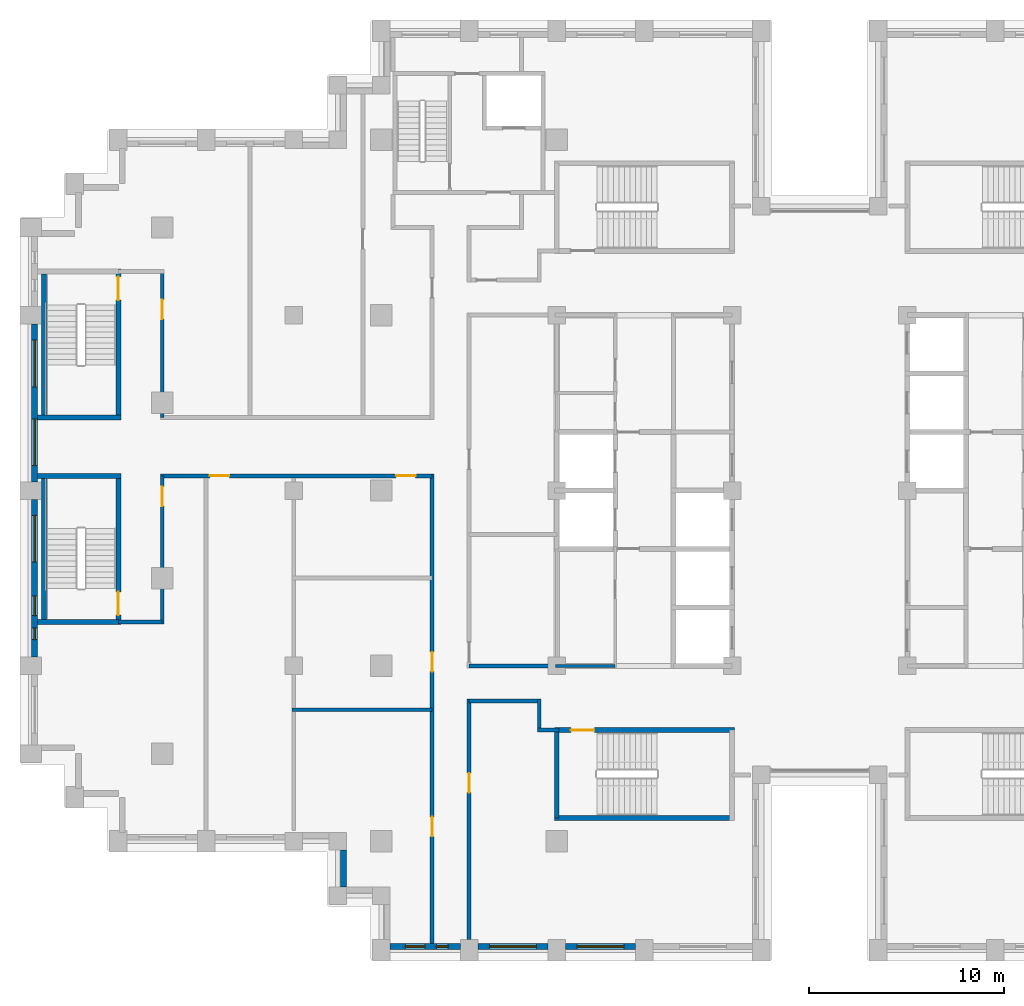
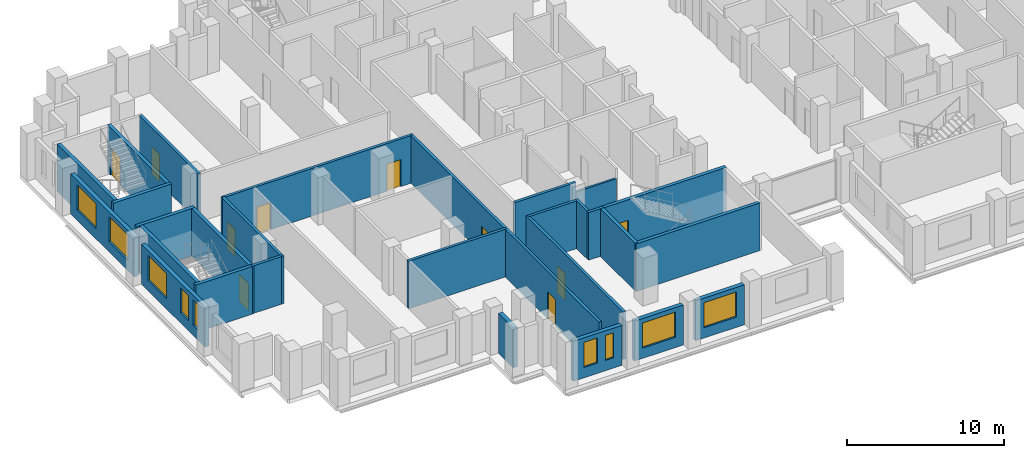
# One storey, part 6 of 16: 28 walls, 10 doors, 9 windows, 19 openings.
"""IFC4 building model written with IfcOpenShell, lengths in metres."""

import ifcopenshell
import ifcopenshell.guid

model = None  # the IFC model being written
_history = None  # IfcOwnerHistory: only IFC2X3 demands one
_inside = {}  # id of a spatial element -> (the spatial element, [elements in it])
_under = {}  # id of a project, library or spatial element -> (it, [spatial elements below it])
_declared = {}  # id of a project -> (the project, [libraries it declares])
_typed = {}  # id of a type object -> (the type object, [elements of that type])
_made_of = {}  # id of a material, layer set ... -> (it, [elements and type objects made of it])


def new_model(schema):
    """Start an empty IFC model of exactly this schema.

    Asked for "IFC4X3", IfcOpenShell would pick the latest addendum, in which some entities
    have other attributes; the version numbers below select the first issue.
    IFC2X3 requires an IfcOwnerHistory on every rooted entity: one is made here for all.
    """
    global model, _history
    if schema == "IFC4X3":
        model = ifcopenshell.file(schema_version=(4, 3, 0, 0))
    else:
        model = ifcopenshell.file(schema=schema)
    _inside.clear()
    _under.clear()
    _declared.clear()
    _typed.clear()
    _made_of.clear()
    _history = None
    if model.schema == "IFC2X3":
        org = make("IfcOrganization", Name="unknown")
        user = make(
            "IfcPersonAndOrganization",
            ThePerson=make("IfcPerson", FamilyName="unknown"),
            TheOrganization=org,
        )
        app = make(
            "IfcApplication",
            ApplicationDeveloper=org,
            Version="unknown",
            ApplicationFullName="unknown",
            ApplicationIdentifier="unknown",
        )
        _history = make(
            "IfcOwnerHistory",
            OwningUser=user,
            OwningApplication=app,
            ChangeAction="ADDED",
            CreationDate=0,
        )
    return model


def make(cls, **values):
    """One entity of the class cls with the attributes given. An attribute that is None is left unset."""
    return model.create_entity(
        cls, **{name: value for name, value in values.items() if value is not None}
    )


def rooted(cls, **values):
    """An entity with a GlobalId (a new one), such as an element, a storey or a relation."""
    return make(cls, GlobalId=ifcopenshell.guid.new(), OwnerHistory=_history, **values)


def si_unit(unit_type, name, prefix=None):
    """IfcSIUnit, for example si_unit("LENGTHUNIT", "METRE", prefix="MILLI")."""
    return make("IfcSIUnit", UnitType=unit_type, Prefix=prefix, Name=name)


def assignment(units):
    """IfcUnitAssignment: the units of a project."""
    return None if units is None else make("IfcUnitAssignment", Units=units)


def point(xyz):
    """IfcCartesianPoint."""
    return None if xyz is None else make("IfcCartesianPoint", Coordinates=xyz)


def direction(xyz):
    """IfcDirection."""
    return None if xyz is None else make("IfcDirection", DirectionRatios=xyz)


def frame(location, z_axis=None, x_axis=None):
    """IfcAxis2Placement3D, a coordinate frame: its origin and axes. An axis left out is left unset."""
    return make(
        "IfcAxis2Placement3D",
        Location=point(location),
        Axis=direction(z_axis),
        RefDirection=direction(x_axis),
    )


def frame_2d(location, x_axis=None):
    """IfcAxis2Placement2D, a coordinate frame in the plane: its origin and x axis."""
    return make(
        "IfcAxis2Placement2D", Location=point(location), RefDirection=direction(x_axis)
    )


def origin():
    """The frame at (0, 0, 0) with its axes left unset."""
    return frame((0.0, 0.0, 0.0))


def place(relative_to, where):
    """IfcLocalPlacement: puts the frame where relative to a parent placement (None: the world)."""
    return make(
        "IfcLocalPlacement", PlacementRelTo=relative_to, RelativePlacement=where
    )


def context(
    kind, dimensions, precision=None, world=None, true_north=None, identifier=None
):
    """IfcGeometricRepresentationContext, for example the 3D "Model" context."""
    return make(
        "IfcGeometricRepresentationContext",
        ContextIdentifier=identifier,
        ContextType=kind,
        CoordinateSpaceDimension=dimensions,
        Precision=precision,
        WorldCoordinateSystem=world,
        TrueNorth=true_north,
    )


def subcontext(parent, identifier, kind, view, scale=None):
    """IfcGeometricRepresentationSubContext, for example "Body" below "Model"."""
    return make(
        "IfcGeometricRepresentationSubContext",
        ContextIdentifier=identifier,
        ContextType=kind,
        ParentContext=parent,
        TargetScale=scale,
        TargetView=view,
    )


def project(units=None, contexts=None):
    """IfcProject with its units and contexts."""
    return rooted(
        "IfcProject",
        Name="project",
        RepresentationContexts=contexts,
        UnitsInContext=assignment(units),
    )


def spatial(cls, under=None, at=None, **own):
    """A site, building, storey or space (cls), placed at a placement, below another one or the project."""
    s = rooted(cls, ObjectPlacement=at, **own)
    if under is not None:
        _under.setdefault(under.id(), (under, []))[1].append(s)
    return s


def profile(cls, at=None, kind="AREA", **sizes):
    """A parametric profile (cls). Its sizes go by their IFC names, for example OverallWidth=200.0."""
    return make(cls, ProfileType=kind, Position=at, **sizes)


def rectangle(**sizes):
    """IfcRectangleProfileDef."""
    return profile("IfcRectangleProfileDef", **sizes)


def extrude(swept, where, along, depth):
    """IfcExtrudedAreaSolid: the profile swept, set in the frame where, extruded along a direction by depth."""
    return make(
        "IfcExtrudedAreaSolid",
        SweptArea=swept,
        Position=where,
        ExtrudedDirection=direction(along),
        Depth=depth,
    )


def shape(context_of_items, identifier, shape_type, items):
    """IfcShapeRepresentation: the items that make up one representation, for example the "Body"."""
    return make(
        "IfcShapeRepresentation",
        ContextOfItems=context_of_items,
        RepresentationIdentifier=identifier,
        RepresentationType=shape_type,
        Items=items,
    )


def material(Name=None, Category=None):
    """IfcMaterial."""
    return make("IfcMaterial", Name=Name, Category=Category)


def layer(
    of_material, thickness, ventilated=None, Name=None, Category=None, Priority=None
):
    """IfcMaterialLayer: one layer of a wall or slab, of a material (None: an air gap)."""
    return make(
        "IfcMaterialLayer",
        Material=of_material,
        LayerThickness=thickness,
        IsVentilated=ventilated,
        Name=Name,
        Category=Category,
        Priority=Priority,
    )


def layer_set(layers, Name=None):
    """IfcMaterialLayerSet."""
    return make("IfcMaterialLayerSet", MaterialLayers=layers, LayerSetName=Name)


def made_of(thing, what):
    """Note that an element or type object is made of a material, layer set ...; save() writes the relation."""
    if what is not None:
        _made_of.setdefault(what.id(), (what, []))[1].append(thing)
    return thing


def type_object(cls, material=None, **own):
    """A type object (cls), such as IfcWallType, which elements share."""
    return made_of(rooted(cls, **own), material)


def element(
    cls,
    number,
    at=None,
    inside=None,
    cuts=None,
    type_object=None,
    material=None,
    context=None,
    identifier="Body",
    shape_type=None,
    held_by="IfcProductDefinitionShape",
    body=None,
    shapes=None,
    **own,
):
    """One element of the class cls, such as IfcWall. Its Tag is "e" and its number.

    at: its placement. inside: the storey or other place that contains it. cuts: it is an
    opening in that element (IfcRelVoidsElement). A single representation is given by context,
    identifier, shape_type and body (its items); several are given by shapes. held_by: the class
    of the entity that holds the representations. save() writes the other relations.
    """
    e = rooted(cls, Tag="e%d" % number, ObjectPlacement=at, **own)
    if body is not None:
        shapes = [shape(context, identifier, shape_type, body)]
    if shapes is not None:
        e.Representation = make(held_by, Representations=shapes)
    if inside is not None:
        _inside.setdefault(inside.id(), (inside, []))[1].append(e)
    if cuts is not None:
        rooted(
            "IfcRelVoidsElement", RelatingBuildingElement=cuts, RelatedOpeningElement=e
        )
    if type_object is not None:
        _typed.setdefault(type_object.id(), (type_object, []))[1].append(e)
    return made_of(e, material)


def fill(opening, filler):
    """IfcRelFillsElement: the door or window that sits in an opening."""
    return rooted(
        "IfcRelFillsElement",
        RelatingOpeningElement=opening,
        RelatedBuildingElement=filler,
    )


def aggregate(whole, parts):
    """IfcRelAggregates: a whole, such as a stair, and the parts it consists of."""
    return rooted("IfcRelAggregates", RelatingObject=whole, RelatedObjects=parts)


def save(model, path):
    """Write the relations noted so far, then the file.

    IfcRelAggregates (storeys below a building ...), IfcRelContainedInSpatialStructure (elements
    in a storey), IfcRelDefinesByType, IfcRelAssociatesMaterial and IfcRelDeclares: one each for
    every whole, place, type object, material and project.
    """
    for whole, parts in _under.values():
        aggregate(whole, parts)
    for where, things in _inside.values():
        rooted(
            "IfcRelContainedInSpatialStructure",
            RelatedElements=things,
            RelatingStructure=where,
        )
    for kind, things in _typed.values():
        rooted("IfcRelDefinesByType", RelatedObjects=things, RelatingType=kind)
    for what, things in _made_of.values():
        rooted("IfcRelAssociatesMaterial", RelatedObjects=things, RelatingMaterial=what)
    for by, libraries in _declared.values():
        rooted("IfcRelDeclares", RelatingContext=by, RelatedDefinitions=libraries)
    model.write(path)


model = new_model("IFC4")

# Units and contexts
model_context = context("Model", 3, precision=1e-05, world=origin(), true_north=direction((0.0, 1.0)))
body_context = subcontext(model_context, "Body", "Model", "MODEL_VIEW")
ifc_project = project(units=[si_unit("LENGTHUNIT", "METRE"), si_unit("AREAUNIT", "SQUARE_METRE"), si_unit("VOLUMEUNIT", "CUBIC_METRE"), si_unit("PLANEANGLEUNIT", "RADIAN"), si_unit("MASSUNIT", "GRAM", prefix="KILO")], contexts=[model_context])

# Site, building, storey
site_placement = place(None, origin())
site = spatial("IfcSite", under=ifc_project, at=site_placement, CompositionType="ELEMENT")
building_placement = place(site_placement, origin())
building = spatial("IfcBuilding", under=site, at=building_placement, Name="Corbelhall Arena Tower", CompositionType="ELEMENT")
storey_placement = place(building_placement, frame((0.0, 0.0, 150.0)))
storey = spatial("IfcBuildingStorey", under=building, at=storey_placement, Name="L29", CompositionType="ELEMENT", Elevation=150.0)

# Wall, openings, windows
ifc_material_1 = material(Name="Precast concrete C40/50 with granite facing", Category="masonry")
ifc_layer_1 = layer(ifc_material_1, 0.300048828125)
ifc_layer_set_1 = layer_set([ifc_layer_1], Name="EV-IW1 Infill panel 300")
wall_type_1 = type_object("IfcWallType", Name="EV-IW1 Infill panel 300", PredefinedType="SOLIDWALL", material=ifc_layer_set_1)
wall_1_placement = place(storey_placement, frame((-40.300048828125, 8.550048828125, 0.0), z_axis=(0.0, 0.0, 1.0), x_axis=(0.0, -1.0, 0.0)))
wall_1 = element("IfcWall", 1, at=wall_1_placement, inside=storey, type_object=wall_type_1, Name="Infill panel IW1", PredefinedType="SOLIDWALL", context=body_context, shape_type="SweptSolid", body=[
    extrude(rectangle(XDim=8.10009765625, YDim=0.300048828125, at=frame_2d((4.050048828125, 0.0))), origin(), (0.0, 0.0, 1.0), 3.10009765625),
])
opening_1_placement = place(wall_1_placement, frame((0.824951171875, 0.0, 0.800048828125)))
opening_1 = element("IfcOpeningElement", 2, at=opening_1_placement, cuts=wall_1, Name="Opening WN1", PredefinedType="OPENING", context=body_context, shape_type="SweptSolid", body=[
    extrude(rectangle(XDim=2.39990234375, YDim=1.949951171875, at=frame_2d((1.199951171875, 0.97509765625))), frame((0.0, 0.14990234375, 0.0), z_axis=(0.0, -1.0, 0.0), x_axis=(1.0, 0.0, 0.0)), (0.0, 0.0, 1.0), 0.300048828125),
])
opening_2_placement = place(wall_1_placement, frame((4.875, 0.0, 0.800048828125)))
opening_2 = element("IfcOpeningElement", 3, at=opening_2_placement, cuts=wall_1, Name="Opening WN1", PredefinedType="OPENING", context=body_context, shape_type="SweptSolid", body=[
    extrude(rectangle(XDim=2.39990234375, YDim=1.949951171875, at=frame_2d((1.199951171875, 0.97509765625))), frame((0.0, 0.14990234375, 0.0), z_axis=(0.0, -1.0, 0.0), x_axis=(1.0, 0.0, 0.0)), (0.0, 0.0, 1.0), 0.300048828125),
])
ifc_material_2 = material(Name="Aluminium black anodised", Category="aluminium")
window_type_1 = type_object("IfcWindowType", Name="EV-WN1 Office window", PartitioningType="SINGLE_PANEL", PredefinedType="WINDOW", material=ifc_material_2)
window_1_placement = place(opening_1_placement, origin())
window_1 = element("IfcWindow", 4, at=window_1_placement, inside=storey, type_object=window_type_1, Name="Window WN1", OverallHeight=1.949951171875, OverallWidth=2.39990234375, PartitioningType="SINGLE_PANEL", PredefinedType="WINDOW", context=body_context, shape_type="SweptSolid", body=[
    extrude(rectangle(XDim=2.39990234375, YDim=1.949951171875, at=frame_2d((1.199951171875, 0.97509765625))), frame((0.0, 0.030029296875, 0.0), z_axis=(0.0, -1.0, 0.0), x_axis=(1.0, 0.0, 0.0)), (0.0, 0.0, 1.0), 0.06005859375),
])
fill(opening_1, window_1)
window_2_placement = place(opening_2_placement, origin())
window_2 = element("IfcWindow", 5, at=window_2_placement, inside=storey, type_object=window_type_1, Name="Window WN1", OverallHeight=1.949951171875, OverallWidth=2.39990234375, PartitioningType="SINGLE_PANEL", PredefinedType="WINDOW", context=body_context, shape_type="SweptSolid", body=[
    extrude(rectangle(XDim=2.39990234375, YDim=1.949951171875, at=frame_2d((1.199951171875, 0.97509765625))), frame((0.0, 0.030029296875, 0.0), z_axis=(0.0, -1.0, 0.0), x_axis=(1.0, 0.0, 0.0)), (0.0, 0.0, 1.0), 0.06005859375),
])
fill(opening_2, window_2)

wall_2_placement = place(storey_placement, frame((-40.300048828125, -0.449951171875, 0.0), z_axis=(0.0, 0.0, 1.0), x_axis=(0.0, -1.0, 0.0)))
wall_2 = element("IfcWall", 6, at=wall_2_placement, inside=storey, type_object=wall_type_1, Name="Infill panel IW1", PredefinedType="SOLIDWALL", context=body_context, shape_type="SweptSolid", body=[
    extrude(rectangle(XDim=8.10009765625, YDim=0.300048828125, at=frame_2d((4.050048828125, 0.0))), origin(), (0.0, 0.0, 1.0), 3.10009765625),
])
opening_3_placement = place(wall_2_placement, frame((0.824951171875, 0.0, 0.800048828125)))
opening_3 = element("IfcOpeningElement", 7, at=opening_3_placement, cuts=wall_2, Name="Opening WN1", PredefinedType="OPENING", context=body_context, shape_type="SweptSolid", body=[
    extrude(rectangle(XDim=2.39990234375, YDim=1.949951171875, at=frame_2d((1.199951171875, 0.97509765625))), frame((0.0, 0.14990234375, 0.0), z_axis=(0.0, -1.0, 0.0), x_axis=(1.0, 0.0, 0.0)), (0.0, 0.0, 1.0), 0.300048828125),
])
opening_4_placement = place(wall_2_placement, frame((4.97509765625, 0.0, 0.800048828125)))
opening_4 = element("IfcOpeningElement", 8, at=opening_4_placement, cuts=wall_2, Name="Opening WN6", PredefinedType="OPENING", context=body_context, shape_type="SweptSolid", body=[
    extrude(rectangle(XDim=1.0, YDim=1.949951171875, at=frame_2d((0.5, 0.97509765625))), frame((0.0, 0.14990234375, 0.0), z_axis=(0.0, -1.0, 0.0), x_axis=(1.0, 0.0, 0.0)), (0.0, 0.0, 1.0), 0.300048828125),
])
opening_5_placement = place(wall_2_placement, frame((6.60009765625, 0.0, 0.800048828125)))
opening_5 = element("IfcOpeningElement", 9, at=opening_5_placement, cuts=wall_2, Name="Opening WN5", PredefinedType="OPENING", context=body_context, shape_type="SweptSolid", body=[
    extrude(rectangle(XDim=0.60009765625, YDim=1.949951171875, at=frame_2d((0.300048828125, 0.97509765625))), frame((0.0, 0.14990234375, 0.0), z_axis=(0.0, -1.0, 0.0), x_axis=(1.0, 0.0, 0.0)), (0.0, 0.0, 1.0), 0.300048828125),
])
window_3_placement = place(opening_3_placement, origin())
window_3 = element("IfcWindow", 10, at=window_3_placement, inside=storey, type_object=window_type_1, Name="Window WN1", OverallHeight=1.949951171875, OverallWidth=2.39990234375, PartitioningType="SINGLE_PANEL", PredefinedType="WINDOW", context=body_context, shape_type="SweptSolid", body=[
    extrude(rectangle(XDim=2.39990234375, YDim=1.949951171875, at=frame_2d((1.199951171875, 0.97509765625))), frame((0.0, 0.030029296875, 0.0), z_axis=(0.0, -1.0, 0.0), x_axis=(1.0, 0.0, 0.0)), (0.0, 0.0, 1.0), 0.06005859375),
])
fill(opening_3, window_3)
window_type_2 = type_object("IfcWindowType", Name="EV-WN5 Office window 600", PartitioningType="SINGLE_PANEL", PredefinedType="WINDOW", material=ifc_material_2)
window_4_placement = place(opening_5_placement, origin())
window_4 = element("IfcWindow", 11, at=window_4_placement, inside=storey, type_object=window_type_2, Name="Window WN5", OverallHeight=1.949951171875, OverallWidth=0.60009765625, PartitioningType="SINGLE_PANEL", PredefinedType="WINDOW", context=body_context, shape_type="SweptSolid", body=[
    extrude(rectangle(XDim=0.60009765625, YDim=1.949951171875, at=frame_2d((0.300048828125, 0.97509765625))), frame((0.0, 0.030029296875, 0.0), z_axis=(0.0, -1.0, 0.0), x_axis=(1.0, 0.0, 0.0)), (0.0, 0.0, 1.0), 0.06005859375),
])
fill(opening_5, window_4)
window_type_3 = type_object("IfcWindowType", Name="EV-WN6 Office window 1000", PartitioningType="SINGLE_PANEL", PredefinedType="WINDOW", material=ifc_material_2)
window_5_placement = place(opening_4_placement, origin())
window_5 = element("IfcWindow", 12, at=window_5_placement, inside=storey, type_object=window_type_3, Name="Window WN6", OverallHeight=1.949951171875, OverallWidth=1.0, PartitioningType="SINGLE_PANEL", PredefinedType="WINDOW", context=body_context, shape_type="SweptSolid", body=[
    extrude(rectangle(XDim=1.0, YDim=1.949951171875, at=frame_2d((0.5, 0.97509765625))), frame((0.0, 0.030029296875, 0.0), z_axis=(0.0, -1.0, 0.0), x_axis=(1.0, 0.0, 0.0)), (0.0, 0.0, 1.0), 0.06005859375),
])
fill(opening_4, window_5)

# Wall
wall_3_placement = place(storey_placement, frame((-24.449951171875, -18.449951171875, 0.0), z_axis=(0.0, 0.0, 1.0), x_axis=(0.0, -1.0, 0.0)))
element("IfcWall", 13, at=wall_3_placement, inside=storey, type_object=wall_type_1, Name="Infill panel IW1", PredefinedType="SOLIDWALL", context=body_context, shape_type="SweptSolid", body=[
    extrude(rectangle(XDim=1.900146484375, YDim=0.300048828125, at=frame_2d((0.9501953125, 0.0))), origin(), (0.0, 0.0, 1.0), 3.10009765625),
])

# Wall, openings, windows
wall_4_placement = place(storey_placement, frame((-22.050048828125, -23.39990234375, 0.0), z_axis=(0.0, 0.0, 1.0), x_axis=(1.0, 0.0, 0.0)))
wall_4 = element("IfcWall", 14, at=wall_4_placement, inside=storey, type_object=wall_type_1, Name="Infill panel IW1", PredefinedType="SOLIDWALL", context=body_context, shape_type="SweptSolid", body=[
    extrude(rectangle(XDim=3.60009765625, YDim=0.300048828125, at=frame_2d((1.800048828125, 0.0))), origin(), (0.0, 0.0, 1.0), 3.10009765625),
])
opening_6_placement = place(wall_4_placement, frame((0.77490234375, 0.0, 0.800048828125)))
opening_6 = element("IfcOpeningElement", 15, at=opening_6_placement, cuts=wall_4, Name="Opening WN6", PredefinedType="OPENING", context=body_context, shape_type="SweptSolid", body=[
    extrude(rectangle(XDim=1.0, YDim=1.949951171875, at=frame_2d((0.5, 0.97509765625))), frame((0.0, 0.14990234375, 0.0), z_axis=(0.0, -1.0, 0.0), x_axis=(1.0, 0.0, 0.0)), (0.0, 0.0, 1.0), 0.300048828125),
])
opening_7_placement = place(wall_4_placement, frame((2.375, 0.0, 0.800048828125)))
opening_7 = element("IfcOpeningElement", 16, at=opening_7_placement, cuts=wall_4, Name="Opening WN5", PredefinedType="OPENING", context=body_context, shape_type="SweptSolid", body=[
    extrude(rectangle(XDim=0.60009765625, YDim=1.949951171875, at=frame_2d((0.300048828125, 0.97509765625))), frame((0.0, 0.14990234375, 0.0), z_axis=(0.0, -1.0, 0.0), x_axis=(1.0, 0.0, 0.0)), (0.0, 0.0, 1.0), 0.300048828125),
])
window_6_placement = place(opening_7_placement, origin())
window_6 = element("IfcWindow", 17, at=window_6_placement, inside=storey, type_object=window_type_2, Name="Window WN5", OverallHeight=1.949951171875, OverallWidth=0.60009765625, PartitioningType="SINGLE_PANEL", PredefinedType="WINDOW", context=body_context, shape_type="SweptSolid", body=[
    extrude(rectangle(XDim=0.60009765625, YDim=1.949951171875, at=frame_2d((0.300048828125, 0.97509765625))), frame((0.0, 0.030029296875, 0.0), z_axis=(0.0, -1.0, 0.0), x_axis=(1.0, 0.0, 0.0)), (0.0, 0.0, 1.0), 0.06005859375),
])
fill(opening_7, window_6)
window_7_placement = place(opening_6_placement, origin())
window_7 = element("IfcWindow", 18, at=window_7_placement, inside=storey, type_object=window_type_3, Name="Window WN6", OverallHeight=1.949951171875, OverallWidth=1.0, PartitioningType="SINGLE_PANEL", PredefinedType="WINDOW", context=body_context, shape_type="SweptSolid", body=[
    extrude(rectangle(XDim=1.0, YDim=1.949951171875, at=frame_2d((0.5, 0.97509765625))), frame((0.0, 0.030029296875, 0.0), z_axis=(0.0, -1.0, 0.0), x_axis=(1.0, 0.0, 0.0)), (0.0, 0.0, 1.0), 0.06005859375),
])
fill(opening_6, window_7)

# Wall, opening, window
wall_5_placement = place(storey_placement, frame((-17.550048828125, -23.39990234375, 0.0), z_axis=(0.0, 0.0, 1.0), x_axis=(1.0, 0.0, 0.0)))
wall_5 = element("IfcWall", 19, at=wall_5_placement, inside=storey, type_object=wall_type_1, Name="Infill panel IW1", PredefinedType="SOLIDWALL", context=body_context, shape_type="SweptSolid", body=[
    extrude(rectangle(XDim=3.60009765625, YDim=0.300048828125, at=frame_2d((1.800048828125, 0.0))), origin(), (0.0, 0.0, 1.0), 3.10009765625),
])
opening_8_placement = place(wall_5_placement, frame((0.60009765625, 0.0, 0.800048828125)))
opening_8 = element("IfcOpeningElement", 20, at=opening_8_placement, cuts=wall_5, Name="Opening WN1", PredefinedType="OPENING", context=body_context, shape_type="SweptSolid", body=[
    extrude(rectangle(XDim=2.39990234375, YDim=1.949951171875, at=frame_2d((1.199951171875, 0.97509765625))), frame((0.0, 0.14990234375, 0.0), z_axis=(0.0, -1.0, 0.0), x_axis=(1.0, 0.0, 0.0)), (0.0, 0.0, 1.0), 0.300048828125),
])
window_8_placement = place(opening_8_placement, origin())
window_8 = element("IfcWindow", 21, at=window_8_placement, inside=storey, type_object=window_type_1, Name="Window WN1", OverallHeight=1.949951171875, OverallWidth=2.39990234375, PartitioningType="SINGLE_PANEL", PredefinedType="WINDOW", context=body_context, shape_type="SweptSolid", body=[
    extrude(rectangle(XDim=2.39990234375, YDim=1.949951171875, at=frame_2d((1.199951171875, 0.97509765625))), frame((0.0, 0.030029296875, 0.0), z_axis=(0.0, -1.0, 0.0), x_axis=(1.0, 0.0, 0.0)), (0.0, 0.0, 1.0), 0.06005859375),
])
fill(opening_8, window_8)

wall_6_placement = place(storey_placement, frame((-13.050048828125, -23.39990234375, 0.0), z_axis=(0.0, 0.0, 1.0), x_axis=(1.0, 0.0, 0.0)))
wall_6 = element("IfcWall", 22, at=wall_6_placement, inside=storey, type_object=wall_type_1, Name="Infill panel IW1", PredefinedType="SOLIDWALL", context=body_context, shape_type="SweptSolid", body=[
    extrude(rectangle(XDim=3.60009765625, YDim=0.300048828125, at=frame_2d((1.800048828125, 0.0))), origin(), (0.0, 0.0, 1.0), 3.10009765625),
])
opening_9_placement = place(wall_6_placement, frame((0.60009765625, 0.0, 0.800048828125)))
opening_9 = element("IfcOpeningElement", 23, at=opening_9_placement, cuts=wall_6, Name="Opening WN1", PredefinedType="OPENING", context=body_context, shape_type="SweptSolid", body=[
    extrude(rectangle(XDim=2.39990234375, YDim=1.949951171875, at=frame_2d((1.199951171875, 0.97509765625))), frame((0.0, 0.14990234375, 0.0), z_axis=(0.0, -1.0, 0.0), x_axis=(1.0, 0.0, 0.0)), (0.0, 0.0, 1.0), 0.300048828125),
])
window_9_placement = place(opening_9_placement, origin())
window_9 = element("IfcWindow", 24, at=window_9_placement, inside=storey, type_object=window_type_1, Name="Window WN1", OverallHeight=1.949951171875, OverallWidth=2.39990234375, PartitioningType="SINGLE_PANEL", PredefinedType="WINDOW", context=body_context, shape_type="SweptSolid", body=[
    extrude(rectangle(XDim=2.39990234375, YDim=1.949951171875, at=frame_2d((1.199951171875, 0.97509765625))), frame((0.0, 0.030029296875, 0.0), z_axis=(0.0, -1.0, 0.0), x_axis=(1.0, 0.0, 0.0)), (0.0, 0.0, 1.0), 0.06005859375),
])
fill(opening_9, window_9)

# Wall
ifc_material_3 = material(Name="Gypsum board on steel stud, acoustic", Category="steel")
ifc_layer_2 = layer(ifc_material_3, 0.199951171875)
ifc_layer_set_2 = layer_set([ifc_layer_2], Name="IN-W-DM200")
wall_type_2 = type_object("IfcWallType", Name="IN-W-DM200", PredefinedType="PARTITIONING", material=ifc_layer_set_2)
wall_7_placement = place(storey_placement, frame((-33.75, -6.75, 0.0), z_axis=(0.0, 0.0, 1.0), x_axis=(-1.0, 0.0, 0.0)))
element("IfcWall", 25, at=wall_7_placement, inside=storey, type_object=wall_type_2, Name="Partition 003", PredefinedType="PARTITIONING", context=body_context, shape_type="SweptSolid", body=[
    extrude(rectangle(XDim=2.25, YDim=0.199951171875, at=frame_2d((1.125, 0.0))), origin(), (0.0, 0.0, 1.0), 3.699951171875),
])

# Wall, opening, door
wall_8_placement = place(storey_placement, frame((-33.75, 0.75, 0.0), z_axis=(0.0, 0.0, 1.0), x_axis=(0.0, -1.0, 0.0)))
wall_8 = element("IfcWall", 26, at=wall_8_placement, inside=storey, type_object=wall_type_2, Name="Partition 004", PredefinedType="PARTITIONING", context=body_context, shape_type="SweptSolid", body=[
    extrude(rectangle(XDim=7.60009765625, YDim=0.199951171875, at=frame_2d((3.800048828125, 0.0))), origin(), (0.0, 0.0, 1.0), 3.699951171875),
])
opening_10_placement = place(wall_8_placement, frame((0.550048828125, 0.0, 0.0)))
opening_10 = element("IfcOpeningElement", 27, at=opening_10_placement, cuts=wall_8, Name="Opening 08043", PredefinedType="OPENING", context=body_context, shape_type="SweptSolid", body=[
    extrude(rectangle(XDim=1.0, YDim=2.10009765625, at=frame_2d((0.5, 1.050048828125))), frame((0.0, 0.10009765625, 0.0), z_axis=(0.0, -1.0, 0.0), x_axis=(1.0, 0.0, 0.0)), (0.0, 0.0, 1.0), 0.199951171875),
])
ifc_material_4 = material(Name="Steel door set", Category="steel")
door_type_1 = type_object("IfcDoorType", Name="IN-D-SW100", OperationType="NOTDEFINED", PredefinedType="DOOR", material=ifc_material_4)
door_1_placement = place(opening_10_placement, origin())
door_1 = element("IfcDoor", 28, at=door_1_placement, inside=storey, type_object=door_type_1, Name="Door 043", OperationType="SINGLE_SWING_RIGHT", OverallHeight=2.10009765625, OverallWidth=1.0, PredefinedType="DOOR", context=body_context, shape_type="SweptSolid", body=[
    extrude(rectangle(XDim=1.0, YDim=2.10009765625, at=frame_2d((0.5, 1.050048828125))), frame((0.0, 0.02490234375, 0.0), z_axis=(0.0, -1.0, 0.0), x_axis=(1.0, 0.0, 0.0)), (0.0, 0.0, 1.0), 0.050048828125),
])
fill(opening_10, door_1)

wall_9_placement = place(storey_placement, frame((-33.75, 11.25, 0.0), z_axis=(0.0, 0.0, 1.0), x_axis=(0.0, -1.0, 0.0)))
wall_9 = element("IfcWall", 29, at=wall_9_placement, inside=storey, type_object=wall_type_2, Name="Partition 005", PredefinedType="PARTITIONING", context=body_context, shape_type="SweptSolid", body=[
    extrude(rectangle(XDim=7.5, YDim=0.199951171875, at=frame_2d((3.75, 0.0))), origin(), (0.0, 0.0, 1.0), 3.699951171875),
])
opening_11_placement = place(wall_9_placement, frame((1.449951171875, 0.0, 0.0)))
opening_11 = element("IfcOpeningElement", 30, at=opening_11_placement, cuts=wall_9, Name="Opening 08042", PredefinedType="OPENING", context=body_context, shape_type="SweptSolid", body=[
    extrude(rectangle(XDim=1.0, YDim=2.10009765625, at=frame_2d((0.5, 1.050048828125))), frame((0.0, 0.10009765625, 0.0), z_axis=(0.0, -1.0, 0.0), x_axis=(1.0, 0.0, 0.0)), (0.0, 0.0, 1.0), 0.199951171875),
])
door_2_placement = place(opening_11_placement, origin())
door_2 = element("IfcDoor", 31, at=door_2_placement, inside=storey, type_object=door_type_1, Name="Door 042", OperationType="SINGLE_SWING_LEFT", OverallHeight=2.10009765625, OverallWidth=1.0, PredefinedType="DOOR", context=body_context, shape_type="SweptSolid", body=[
    extrude(rectangle(XDim=1.0, YDim=2.10009765625, at=frame_2d((0.5, 1.050048828125))), frame((0.0, 0.02490234375, 0.0), z_axis=(0.0, -1.0, 0.0), x_axis=(1.0, 0.0, 0.0)), (0.0, 0.0, 1.0), 0.050048828125),
])
fill(opening_11, door_2)

# Wall, openings, doors
wall_10_placement = place(storey_placement, frame((-19.89990234375, 0.75, 0.0), z_axis=(0.0, 0.0, 1.0), x_axis=(-1.0, 0.0, 0.0)))
wall_10 = element("IfcWall", 32, at=wall_10_placement, inside=storey, type_object=wall_type_2, Name="Partition 007", PredefinedType="PARTITIONING", context=body_context, shape_type="SweptSolid", body=[
    extrude(rectangle(XDim=13.9501953125, YDim=0.199951171875, at=frame_2d((6.97509765625, 0.0))), origin(), (0.0, 0.0, 1.0), 3.699951171875),
])
opening_12_placement = place(wall_10_placement, frame((0.85009765625, 0.0, 0.0)))
opening_12 = element("IfcOpeningElement", 33, at=opening_12_placement, cuts=wall_10, Name="Opening 08035", PredefinedType="OPENING", context=body_context, shape_type="SweptSolid", body=[
    extrude(rectangle(XDim=1.0, YDim=2.10009765625, at=frame_2d((0.5, 1.050048828125))), frame((0.0, 0.10009765625, 0.0), z_axis=(0.0, -1.0, 0.0), x_axis=(1.0, 0.0, 0.0)), (0.0, 0.0, 1.0), 0.199951171875),
])
opening_13_placement = place(wall_10_placement, frame((10.39990234375, 0.0, 0.0)))
opening_13 = element("IfcOpeningElement", 34, at=opening_13_placement, cuts=wall_10, Name="Opening 08044", PredefinedType="OPENING", context=body_context, shape_type="SweptSolid", body=[
    extrude(rectangle(XDim=1.0, YDim=2.10009765625, at=frame_2d((0.5, 1.050048828125))), frame((0.0, 0.10009765625, 0.0), z_axis=(0.0, -1.0, 0.0), x_axis=(1.0, 0.0, 0.0)), (0.0, 0.0, 1.0), 0.199951171875),
])
door_3_placement = place(opening_12_placement, origin())
door_3 = element("IfcDoor", 35, at=door_3_placement, inside=storey, type_object=door_type_1, Name="Door 035", OperationType="SINGLE_SWING_RIGHT", OverallHeight=2.10009765625, OverallWidth=1.0, PredefinedType="DOOR", context=body_context, shape_type="SweptSolid", body=[
    extrude(rectangle(XDim=1.0, YDim=2.10009765625, at=frame_2d((0.5, 1.050048828125))), frame((0.0, 0.02490234375, 0.0), z_axis=(0.0, -1.0, 0.0), x_axis=(1.0, 0.0, 0.0)), (0.0, 0.0, 1.0), 0.050048828125),
])
fill(opening_12, door_3)
door_4_placement = place(opening_13_placement, origin())
door_4 = element("IfcDoor", 36, at=door_4_placement, inside=storey, type_object=door_type_1, Name="Door 044", OperationType="SINGLE_SWING_LEFT", OverallHeight=2.10009765625, OverallWidth=1.0, PredefinedType="DOOR", context=body_context, shape_type="SweptSolid", body=[
    extrude(rectangle(XDim=1.0, YDim=2.10009765625, at=frame_2d((0.5, 1.050048828125))), frame((0.0, 0.02490234375, 0.0), z_axis=(0.0, -1.0, 0.0), x_axis=(1.0, 0.0, 0.0)), (0.0, 0.0, 1.0), 0.050048828125),
])
fill(opening_13, door_4)

# Wall
wall_11_placement = place(storey_placement, frame((-27.10009765625, -11.25, 0.0), z_axis=(0.0, 0.0, 1.0), x_axis=(1.0, 0.0, 0.0)))
element("IfcWall", 37, at=wall_11_placement, inside=storey, type_object=wall_type_2, Name="Partition 009", PredefinedType="PARTITIONING", context=body_context, shape_type="SweptSolid", body=[
    extrude(rectangle(XDim=7.2001953125, YDim=0.199951171875, at=frame_2d((3.60009765625, 0.0))), origin(), (0.0, 0.0, 1.0), 3.699951171875),
])

# Wall, openings, doors
wall_12_placement = place(storey_placement, frame((-19.89990234375, -23.25, 0.0), z_axis=(0.0, 0.0, 1.0), x_axis=(0.0, 1.0, 0.0)))
wall_12 = element("IfcWall", 38, at=wall_12_placement, inside=storey, type_object=wall_type_2, Name="Partition 015", PredefinedType="PARTITIONING", context=body_context, shape_type="SweptSolid", body=[
    extrude(rectangle(XDim=24.10009765625, YDim=0.199951171875, at=frame_2d((12.050048828125, 0.0))), origin(), (0.0, 0.0, 1.0), 3.699951171875),
])
opening_14_placement = place(wall_12_placement, frame((5.5, 0.0, 0.0)))
opening_14 = element("IfcOpeningElement", 39, at=opening_14_placement, cuts=wall_12, Name="Opening 08033", PredefinedType="OPENING", context=body_context, shape_type="SweptSolid", body=[
    extrude(rectangle(XDim=1.0, YDim=2.10009765625, at=frame_2d((0.5, 1.050048828125))), frame((0.0, 0.10009765625, 0.0), z_axis=(0.0, -1.0, 0.0), x_axis=(1.0, 0.0, 0.0)), (0.0, 0.0, 1.0), 0.199951171875),
])
opening_15_placement = place(wall_12_placement, frame((13.949951171875, 0.0, 0.0)))
opening_15 = element("IfcOpeningElement", 40, at=opening_15_placement, cuts=wall_12, Name="Opening 08034", PredefinedType="OPENING", context=body_context, shape_type="SweptSolid", body=[
    extrude(rectangle(XDim=1.0, YDim=2.10009765625, at=frame_2d((0.5, 1.050048828125))), frame((0.0, 0.10009765625, 0.0), z_axis=(0.0, -1.0, 0.0), x_axis=(1.0, 0.0, 0.0)), (0.0, 0.0, 1.0), 0.199951171875),
])
door_5_placement = place(opening_14_placement, origin())
door_5 = element("IfcDoor", 41, at=door_5_placement, inside=storey, type_object=door_type_1, Name="Door 033", OperationType="SINGLE_SWING_RIGHT", OverallHeight=2.10009765625, OverallWidth=1.0, PredefinedType="DOOR", context=body_context, shape_type="SweptSolid", body=[
    extrude(rectangle(XDim=1.0, YDim=2.10009765625, at=frame_2d((0.5, 1.050048828125))), frame((0.0, 0.02490234375, 0.0), z_axis=(0.0, -1.0, 0.0), x_axis=(1.0, 0.0, 0.0)), (0.0, 0.0, 1.0), 0.050048828125),
])
fill(opening_14, door_5)
door_6_placement = place(opening_15_placement, origin())
door_6 = element("IfcDoor", 42, at=door_6_placement, inside=storey, type_object=door_type_1, Name="Door 034", OperationType="SINGLE_SWING_LEFT", OverallHeight=2.10009765625, OverallWidth=1.0, PredefinedType="DOOR", context=body_context, shape_type="SweptSolid", body=[
    extrude(rectangle(XDim=1.0, YDim=2.10009765625, at=frame_2d((0.5, 1.050048828125))), frame((0.0, 0.02490234375, 0.0), z_axis=(0.0, -1.0, 0.0), x_axis=(1.0, 0.0, 0.0)), (0.0, 0.0, 1.0), 0.050048828125),
])
fill(opening_15, door_6)

# Wall, opening, door
wall_13_placement = place(storey_placement, frame((-18.0, -10.699951171875, 0.0), z_axis=(0.0, 0.0, 1.0), x_axis=(0.0, -1.0, 0.0)))
wall_13 = element("IfcWall", 43, at=wall_13_placement, inside=storey, type_object=wall_type_2, Name="Partition 018", PredefinedType="PARTITIONING", context=body_context, shape_type="SweptSolid", body=[
    extrude(rectangle(XDim=12.35009765625, YDim=0.199951171875, at=frame_2d((6.175048828125, 0.0))), origin(), (0.0, 0.0, 1.0), 3.699951171875),
])
opening_16_placement = place(wall_13_placement, frame((3.800048828125, 0.0, 0.0)))
opening_16 = element("IfcOpeningElement", 44, at=opening_16_placement, cuts=wall_13, Name="Opening 08029", PredefinedType="OPENING", context=body_context, shape_type="SweptSolid", body=[
    extrude(rectangle(XDim=1.0, YDim=2.10009765625, at=frame_2d((0.5, 1.050048828125))), frame((0.0, 0.10009765625, 0.0), z_axis=(0.0, -1.0, 0.0), x_axis=(1.0, 0.0, 0.0)), (0.0, 0.0, 1.0), 0.199951171875),
])
door_7_placement = place(opening_16_placement, origin())
door_7 = element("IfcDoor", 45, at=door_7_placement, inside=storey, type_object=door_type_1, Name="Door 029", OperationType="SINGLE_SWING_RIGHT", OverallHeight=2.10009765625, OverallWidth=1.0, PredefinedType="DOOR", context=body_context, shape_type="SweptSolid", body=[
    extrude(rectangle(XDim=1.0, YDim=2.10009765625, at=frame_2d((0.5, 1.050048828125))), frame((0.0, 0.02490234375, 0.0), z_axis=(0.0, -1.0, 0.0), x_axis=(1.0, 0.0, 0.0)), (0.0, 0.0, 1.0), 0.050048828125),
])
fill(opening_16, door_7)

# Walls
wall_14_placement = place(storey_placement, frame((-18.0, -9.0, 0.0), z_axis=(0.0, 0.0, 1.0), x_axis=(1.0, 0.0, 0.0)))
element("IfcWall", 46, at=wall_14_placement, inside=storey, type_object=wall_type_2, Name="Partition 019", PredefinedType="PARTITIONING", context=body_context, shape_type="SweptSolid", body=[
    extrude(rectangle(XDim=4.5, YDim=0.199951171875, at=frame_2d((2.25, 0.0))), origin(), (0.0, 0.0, 1.0), 3.699951171875),
])
wall_15_placement = place(storey_placement, frame((-14.39990234375, -12.300048828125, 0.0), z_axis=(0.0, 0.0, 1.0), x_axis=(0.0, 1.0, 0.0)))
element("IfcWall", 47, at=wall_15_placement, inside=storey, type_object=wall_type_2, Name="Partition 028", PredefinedType="PARTITIONING", context=body_context, shape_type="SweptSolid", body=[
    extrude(rectangle(XDim=1.60009765625, YDim=0.199951171875, at=frame_2d((0.800048828125, 0.0))), origin(), (0.0, 0.0, 1.0), 3.699951171875),
])
wall_16_placement = place(storey_placement, frame((-14.39990234375, -10.800048828125, 0.0), z_axis=(0.0, 0.0, 1.0), x_axis=(-1.0, 0.0, 0.0)))
element("IfcWall", 48, at=wall_16_placement, inside=storey, type_object=wall_type_2, Name="Partition 029", PredefinedType="PARTITIONING", context=body_context, shape_type="SweptSolid", body=[
    extrude(rectangle(XDim=3.60009765625, YDim=0.199951171875, at=frame_2d((1.800048828125, 0.0))), origin(), (0.0, 0.0, 1.0), 3.699951171875),
])
wall_17_placement = place(storey_placement, frame((-13.375, -12.300048828125, 0.0), z_axis=(0.0, 0.0, 1.0), x_axis=(-1.0, 0.0, 0.0)))
element("IfcWall", 49, at=wall_17_placement, inside=storey, type_object=wall_type_2, Name="Partition 032", PredefinedType="PARTITIONING", context=body_context, shape_type="SweptSolid", body=[
    extrude(rectangle(XDim=1.125, YDim=0.199951171875, at=frame_2d((0.5625, 0.0))), origin(), (0.0, 0.0, 1.0), 3.699951171875),
])
ifc_material_5 = material(Name="Concrete C40/50", Category="concrete")
ifc_layer_3 = layer(ifc_material_5, 0.25)
ifc_layer_set_3 = layer_set([ifc_layer_3], Name="IN-W-ST250")
wall_type_3 = type_object("IfcWallType", Name="IN-W-ST250", PredefinedType="SOLIDWALL", material=ifc_layer_set_3)
wall_18_placement = place(storey_placement, frame((-40.14990234375, 3.75, 0.0), z_axis=(0.0, 0.0, 1.0), x_axis=(1.0, 0.0, 0.0)))
element("IfcWall", 50, at=wall_18_placement, inside=storey, type_object=wall_type_3, Name="Shaft wall 101", PredefinedType="SOLIDWALL", context=body_context, shape_type="SweptSolid", body=[
    extrude(rectangle(XDim=4.27490234375, YDim=0.25, at=frame_2d((2.137451171875, 0.0))), origin(), (0.0, 0.0, 1.0), 3.699951171875),
])
wall_19_placement = place(storey_placement, frame((-36.0, -6.75, 0.0), z_axis=(0.0, 0.0, 1.0), x_axis=(-1.0, 0.0, 0.0)))
element("IfcWall", 51, at=wall_19_placement, inside=storey, type_object=wall_type_3, Name="Shaft wall 103", PredefinedType="SOLIDWALL", context=body_context, shape_type="SweptSolid", body=[
    extrude(rectangle(XDim=4.14990234375, YDim=0.25, at=frame_2d((2.074951171875, 0.0))), origin(), (0.0, 0.0, 1.0), 3.699951171875),
])

# Wall, opening, door
wall_20_placement = place(storey_placement, frame((-36.0, 0.75, 0.0), z_axis=(0.0, 0.0, 1.0), x_axis=(0.0, -1.0, 0.0)))
wall_20 = element("IfcWall", 52, at=wall_20_placement, inside=storey, type_object=wall_type_3, Name="Shaft wall 104", PredefinedType="SOLIDWALL", context=body_context, shape_type="SweptSolid", body=[
    extrude(rectangle(XDim=7.625, YDim=0.25, at=frame_2d((3.8125, 0.0))), origin(), (0.0, 0.0, 1.0), 3.699951171875),
])
opening_17_placement = place(wall_20_placement, frame((5.949951171875, 0.0, 0.0)))
opening_17 = element("IfcOpeningElement", 53, at=opening_17_placement, cuts=wall_20, Name="Opening 08020", PredefinedType="OPENING", context=body_context, shape_type="SweptSolid", body=[
    extrude(rectangle(XDim=1.199951171875, YDim=2.10009765625, at=frame_2d((0.60009765625, 1.050048828125))), frame((0.0, 0.125, 0.0), z_axis=(0.0, -1.0, 0.0), x_axis=(1.0, 0.0, 0.0)), (0.0, 0.0, 1.0), 0.25),
])
door_type_2 = type_object("IfcDoorType", Name="IN-D-ST120", OperationType="NOTDEFINED", PredefinedType="DOOR", material=ifc_material_4)
door_8_placement = place(opening_17_placement, origin())
door_8 = element("IfcDoor", 54, at=door_8_placement, inside=storey, type_object=door_type_2, Name="Door 020", OperationType="SINGLE_SWING_LEFT", OverallHeight=2.10009765625, OverallWidth=1.199951171875, PredefinedType="DOOR", context=body_context, shape_type="SweptSolid", body=[
    extrude(rectangle(XDim=1.199951171875, YDim=2.10009765625, at=frame_2d((0.60009765625, 1.050048828125))), frame((0.0, 0.02490234375, 0.0), z_axis=(0.0, -1.0, 0.0), x_axis=(1.0, 0.0, 0.0)), (0.0, 0.0, 1.0), 0.050048828125),
])
fill(opening_17, door_8)

wall_21_placement = place(storey_placement, frame((-36.0, 11.375, 0.0), z_axis=(0.0, 0.0, 1.0), x_axis=(0.0, -1.0, 0.0)))
wall_21 = element("IfcWall", 55, at=wall_21_placement, inside=storey, type_object=wall_type_3, Name="Shaft wall 105", PredefinedType="SOLIDWALL", context=body_context, shape_type="SweptSolid", body=[
    extrude(rectangle(XDim=7.625, YDim=0.25, at=frame_2d((3.8125, 0.0))), origin(), (0.0, 0.0, 1.0), 3.699951171875),
])
opening_18_placement = place(wall_21_placement, frame((0.39990234375, 0.0, 0.0)))
opening_18 = element("IfcOpeningElement", 56, at=opening_18_placement, cuts=wall_21, Name="Opening 08019", PredefinedType="OPENING", context=body_context, shape_type="SweptSolid", body=[
    extrude(rectangle(XDim=1.199951171875, YDim=2.10009765625, at=frame_2d((0.60009765625, 1.050048828125))), frame((0.0, 0.125, 0.0), z_axis=(0.0, -1.0, 0.0), x_axis=(1.0, 0.0, 0.0)), (0.0, 0.0, 1.0), 0.25),
])
door_9_placement = place(opening_18_placement, origin())
door_9 = element("IfcDoor", 57, at=door_9_placement, inside=storey, type_object=door_type_2, Name="Door 019", OperationType="SINGLE_SWING_RIGHT", OverallHeight=2.10009765625, OverallWidth=1.199951171875, PredefinedType="DOOR", context=body_context, shape_type="SweptSolid", body=[
    extrude(rectangle(XDim=1.199951171875, YDim=2.10009765625, at=frame_2d((0.60009765625, 1.050048828125))), frame((0.0, 0.02490234375, 0.0), z_axis=(0.0, -1.0, 0.0), x_axis=(1.0, 0.0, 0.0)), (0.0, 0.0, 1.0), 0.050048828125),
])
fill(opening_18, door_9)

# Walls
wall_22_placement = place(storey_placement, frame((-35.875, 0.75, 0.0), z_axis=(0.0, 0.0, 1.0), x_axis=(-1.0, 0.0, 0.0)))
element("IfcWall", 58, at=wall_22_placement, inside=storey, type_object=wall_type_3, Name="Shaft wall 106", PredefinedType="SOLIDWALL", context=body_context, shape_type="SweptSolid", body=[
    extrude(rectangle(XDim=4.27490234375, YDim=0.25, at=frame_2d((2.137451171875, 0.0))), origin(), (0.0, 0.0, 1.0), 3.699951171875),
])
wall_23_placement = place(storey_placement, frame((-13.5, -16.800048828125, 0.0), z_axis=(0.0, 0.0, 1.0), x_axis=(0.0, 1.0, 0.0)))
element("IfcWall", 59, at=wall_23_placement, inside=storey, type_object=wall_type_3, Name="Shaft wall 109", PredefinedType="SOLIDWALL", context=body_context, shape_type="SweptSolid", body=[
    extrude(rectangle(XDim=4.5, YDim=0.25, at=frame_2d((2.25, 0.0))), origin(), (0.0, 0.0, 1.0), 3.699951171875),
])
wall_24_placement = place(storey_placement, frame((-4.5, -16.800048828125, 0.0), z_axis=(0.0, 0.0, 1.0), x_axis=(-1.0, 0.0, 0.0)))
element("IfcWall", 60, at=wall_24_placement, inside=storey, type_object=wall_type_3, Name="Shaft wall 111", PredefinedType="SOLIDWALL", context=body_context, shape_type="SweptSolid", body=[
    extrude(rectangle(XDim=9.125, YDim=0.25, at=frame_2d((4.5625, 0.0))), origin(), (0.0, 0.0, 1.0), 3.699951171875),
])

# Wall, opening, door
wall_25_placement = place(storey_placement, frame((-4.375, -12.300048828125, 0.0), z_axis=(0.0, 0.0, 1.0), x_axis=(-1.0, 0.0, 0.0)))
wall_25 = element("IfcWall", 61, at=wall_25_placement, inside=storey, type_object=wall_type_3, Name="Shaft wall 114", PredefinedType="SOLIDWALL", context=body_context, shape_type="SweptSolid", body=[
    extrude(rectangle(XDim=9.25, YDim=0.25, at=frame_2d((4.625, 0.0))), origin(), (0.0, 0.0, 1.0), 3.699951171875),
])
opening_19_placement = place(wall_25_placement, frame((7.199951171875, 0.0, 0.0)))
opening_19 = element("IfcOpeningElement", 62, at=opening_19_placement, cuts=wall_25, Name="Opening 08016", PredefinedType="OPENING", context=body_context, shape_type="SweptSolid", body=[
    extrude(rectangle(XDim=1.199951171875, YDim=2.10009765625, at=frame_2d((0.60009765625, 1.050048828125))), frame((0.0, 0.125, 0.0), z_axis=(0.0, -1.0, 0.0), x_axis=(1.0, 0.0, 0.0)), (0.0, 0.0, 1.0), 0.25),
])
door_10_placement = place(opening_19_placement, origin())
door_10 = element("IfcDoor", 63, at=door_10_placement, inside=storey, type_object=door_type_2, Name="Door 016", OperationType="SINGLE_SWING_LEFT", OverallHeight=2.10009765625, OverallWidth=1.199951171875, PredefinedType="DOOR", context=body_context, shape_type="SweptSolid", body=[
    extrude(rectangle(XDim=1.199951171875, YDim=2.10009765625, at=frame_2d((0.60009765625, 1.050048828125))), frame((0.0, 0.02490234375, 0.0), z_axis=(0.0, -1.0, 0.0), x_axis=(1.0, 0.0, 0.0)), (0.0, 0.0, 1.0), 0.050048828125),
])
fill(opening_19, door_10)

# Walls
for number, where, z_axis, x_axis, name in (
    (64, (-39.824951171875, 3.875, 0.0), (0.0, 0.0, 1.0), (0.0, 1.0, 0.0), "Shaft wall SC1 facade side"),
    (65, (-39.824951171875, -6.625, 0.0), (0.0, 0.0, 1.0), (0.0, 1.0, 0.0), "Shaft wall SC2 facade side"),
):
    element("IfcWall", number, at=place(storey_placement, frame(where, z_axis=z_axis, x_axis=x_axis)), inside=storey, type_object=wall_type_3, Name=name, PredefinedType="SOLIDWALL", context=body_context, shape_type="SweptSolid", body=[
        extrude(rectangle(XDim=7.25, YDim=0.25, at=frame_2d((3.625, 0.0))), origin(), (0.0, 0.0, 1.0), 3.699951171875),
    ])
ifc_material_6 = material(Name="Gypsum board on steel stud, moisture resistant", Category="steel")
ifc_layer_4 = layer(ifc_material_6, 0.14990234375)
ifc_layer_set_4 = layer_set([ifc_layer_4], Name="IN-W-WC150 under beam 762 mm")
wall_type_4 = type_object("IfcWallType", Name="IN-W-WC150 under beam 762 mm", PredefinedType="PARTITIONING", material=ifc_layer_set_4)
wall_26_placement = place(storey_placement, frame((-10.5, -9.0, 0.0), z_axis=(0.0, 0.0, 1.0), x_axis=(-1.0, 0.0, 0.0)))
element("IfcWall", 66, at=wall_26_placement, inside=storey, type_object=wall_type_4, Name="Partition 133", PredefinedType="PARTITIONING", context=body_context, shape_type="SweptSolid", body=[
    extrude(rectangle(XDim=3.074951171875, YDim=0.14990234375, at=frame_2d((1.53759765625, 0.0))), origin(), (0.0, 0.0, 1.0), 2.93798828125),
])

save(model, "model.ifc")
